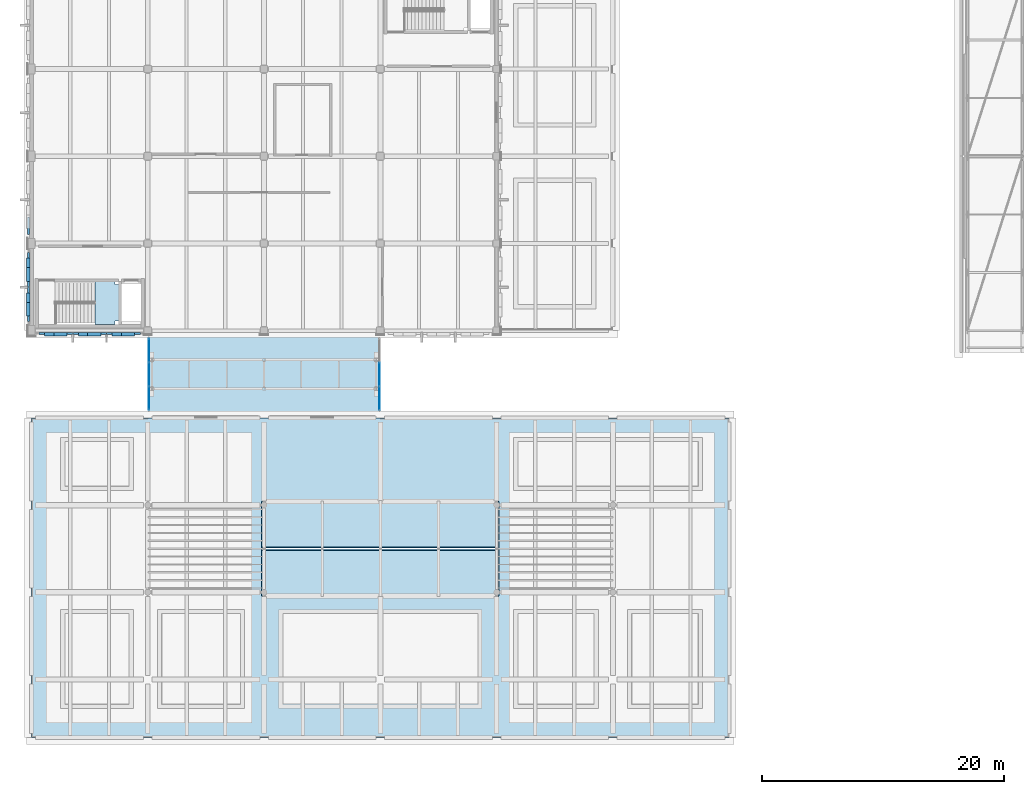
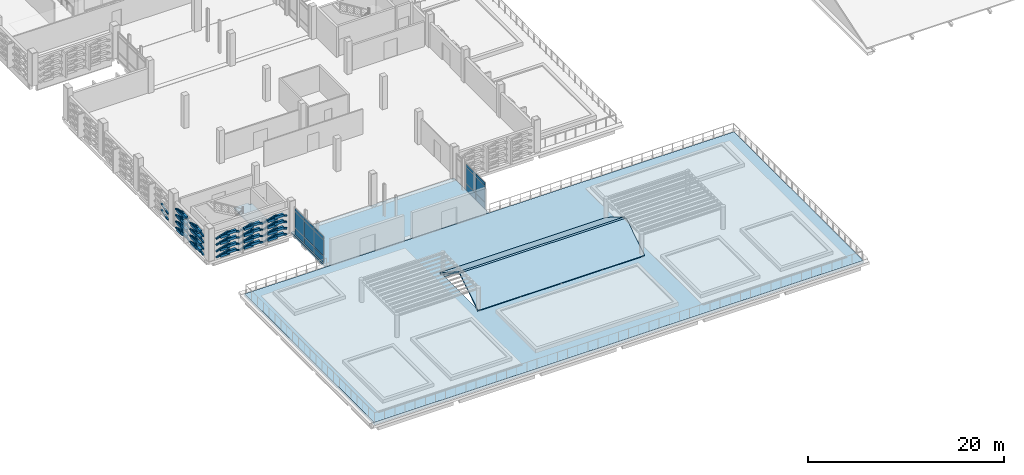
# One storey, part 89 of 134: 97 plates, 5 slabs, 3 elements without a shape of their own.
"""IFC4 building model written with IfcOpenShell, lengths in metres."""

from ifc_helpers import new_model, si_unit, direction, frame, origin, origin_2d, place, context, subcontext, project, spatial, polyline, rectangle, hollow_rectangle, outline, extrude, material, layer, layer_set, material_profile, profile_set, type_object, element, aggregate, save


model = new_model("IFC4")

# Units and contexts
model_context = context("Model", 3, precision=1e-05, world=origin(), true_north=direction((0.0, 1.0)))
body_context = subcontext(model_context, "Body", "Model", "MODEL_VIEW")
ifc_project = project(units=[si_unit("LENGTHUNIT", "METRE"), si_unit("AREAUNIT", "SQUARE_METRE"), si_unit("VOLUMEUNIT", "CUBIC_METRE"), si_unit("PLANEANGLEUNIT", "RADIAN"), si_unit("MASSUNIT", "GRAM", prefix="KILO")], contexts=[model_context])

# Site, building, storey
site_placement = place(None, origin())
site = spatial("IfcSite", under=ifc_project, at=site_placement, CompositionType="ELEMENT")
building_placement = place(site_placement, origin())
building = spatial("IfcBuilding", under=site, at=building_placement, Name="Asteropetra Specialist Clinic", CompositionType="ELEMENT")
storey_placement = place(building_placement, frame((0.0, 0.0, 8.5)))
storey = spatial("IfcBuildingStorey", under=building, at=storey_placement, Name="L02", CompositionType="ELEMENT", Elevation=8.5)

# Plates
ifc_material_1 = material(Name="Chevron emerald aluminium 6063-T6", Category="aluminium")
ifc_material_profile = material_profile(ifc_material_1, hollow_rectangle(XDim=0.179931640625, YDim=0.179931640625, WallThickness=0.010009765625, InnerFilletRadius=0.008056640625, OuterFilletRadius=0.01611328125, at=origin_2d()), Name="SHS 180x180x10.0")
ifc_profile_set = profile_set([ifc_material_profile], Name="Chevron emerald aluminium 6063-T6")
plate_type_1 = type_object("IfcPlateType", Name="CHV-RIB-180", PredefinedType="SHEET", material=ifc_profile_set)
plate_1_placement = place(storey_placement, frame((0.639892578125, 33.363037109375, 0.050048828125), z_axis=(0.952473286797, 0.0, 0.304622123191), x_axis=(0.0, 1.0, 0.0)))
element("IfcPlate", 1, at=plate_1_placement, inside=storey, type_object=plate_type_1, Name="Chevron Facade Screen Fin CVR-1702", PredefinedType="SHEET", context=body_context, shape_type="SweptSolid", body=[
    extrude(hollow_rectangle(XDim=0.179931640625, YDim=0.179931640625, WallThickness=0.010009765625, InnerFilletRadius=0.008056640625, OuterFilletRadius=0.01611328125, at=origin_2d()), origin(), (0.0, 0.0, 1.0), 1.44189453125),
])
plate_2_placement = place(storey_placement, frame((2.01318359375, 33.363037109375, 0.4892578125), z_axis=(0.952488995782, 0.0, -0.304573000962), x_axis=(0.0, 1.0, 0.0)))
element("IfcPlate", 2, at=plate_2_placement, inside=storey, type_object=plate_type_1, Name="Chevron Facade Screen Fin CVR-1703", PredefinedType="SHEET", context=body_context, shape_type="SweptSolid", body=[
    extrude(hollow_rectangle(XDim=0.179931640625, YDim=0.179931640625, WallThickness=0.010009765625, InnerFilletRadius=0.008056640625, OuterFilletRadius=0.01611328125, at=origin_2d()), origin(), (0.0, 0.0, 1.0), 1.442138671875),
])
plate_3_placement = place(storey_placement, frame((0.639892578125, 33.363037109375, 0.820068359375), z_axis=(0.952473286797, 0.0, 0.304622123191), x_axis=(0.0, 1.0, 0.0)))
element("IfcPlate", 3, at=plate_3_placement, inside=storey, type_object=plate_type_1, Name="Chevron Facade Screen Fin CVR-1704", PredefinedType="SHEET", context=body_context, shape_type="SweptSolid", body=[
    extrude(hollow_rectangle(XDim=0.179931640625, YDim=0.179931640625, WallThickness=0.010009765625, InnerFilletRadius=0.008056640625, OuterFilletRadius=0.01611328125, at=origin_2d()), origin(), (0.0, 0.0, 1.0), 1.44189453125),
])
plate_4_placement = place(storey_placement, frame((2.01318359375, 33.363037109375, 1.25927734375), z_axis=(0.952488995782, 0.0, -0.304573000962), x_axis=(0.0, 1.0, 0.0)))
element("IfcPlate", 4, at=plate_4_placement, inside=storey, type_object=plate_type_1, Name="Chevron Facade Screen Fin CVR-1705", PredefinedType="SHEET", context=body_context, shape_type="SweptSolid", body=[
    extrude(hollow_rectangle(XDim=0.179931640625, YDim=0.179931640625, WallThickness=0.010009765625, InnerFilletRadius=0.008056640625, OuterFilletRadius=0.01611328125, at=origin_2d()), origin(), (0.0, 0.0, 1.0), 1.442138671875),
])
plate_5_placement = place(storey_placement, frame((0.639892578125, 33.363037109375, 1.6201171875), z_axis=(0.952473286797, 0.0, 0.304622123191), x_axis=(0.0, 1.0, 0.0)))
element("IfcPlate", 5, at=plate_5_placement, inside=storey, type_object=plate_type_1, Name="Chevron Facade Screen Fin CVR-1706", PredefinedType="SHEET", context=body_context, shape_type="SweptSolid", body=[
    extrude(hollow_rectangle(XDim=0.179931640625, YDim=0.179931640625, WallThickness=0.010009765625, InnerFilletRadius=0.008056640625, OuterFilletRadius=0.01611328125, at=origin_2d()), origin(), (0.0, 0.0, 1.0), 1.44189453125),
])
plate_6_placement = place(storey_placement, frame((2.01318359375, 33.363037109375, 2.059326171875), z_axis=(0.952488995782, 0.0, -0.304573000962), x_axis=(0.0, 1.0, 0.0)))
element("IfcPlate", 6, at=plate_6_placement, inside=storey, type_object=plate_type_1, Name="Chevron Facade Screen Fin CVR-1707", PredefinedType="SHEET", context=body_context, shape_type="SweptSolid", body=[
    extrude(hollow_rectangle(XDim=0.179931640625, YDim=0.179931640625, WallThickness=0.010009765625, InnerFilletRadius=0.008056640625, OuterFilletRadius=0.01611328125, at=origin_2d()), origin(), (0.0, 0.0, 1.0), 1.442138671875),
])
plate_7_placement = place(storey_placement, frame((0.639892578125, 33.363037109375, 2.39990234375), z_axis=(0.952424147199, 0.0, 0.304775727104), x_axis=(0.0, 1.0, 0.0)))
element("IfcPlate", 7, at=plate_7_placement, inside=storey, type_object=plate_type_1, Name="Chevron Facade Screen Fin CVR-1708", PredefinedType="SHEET", context=body_context, shape_type="SweptSolid", body=[
    extrude(hollow_rectangle(XDim=0.179931640625, YDim=0.179931640625, WallThickness=0.010009765625, InnerFilletRadius=0.008056640625, OuterFilletRadius=0.01611328125, at=origin_2d()), origin(), (0.0, 0.0, 1.0), 1.44189453125),
])
plate_8_placement = place(storey_placement, frame((2.01318359375, 33.363037109375, 2.83935546875), z_axis=(0.952439871219, 0.0, -0.304726585175), x_axis=(0.0, 1.0, 0.0)))
element("IfcPlate", 8, at=plate_8_placement, inside=storey, type_object=plate_type_1, Name="Chevron Facade Screen Fin CVR-1709", PredefinedType="SHEET", context=body_context, shape_type="SweptSolid", body=[
    extrude(hollow_rectangle(XDim=0.179931640625, YDim=0.179931640625, WallThickness=0.010009765625, InnerFilletRadius=0.008056640625, OuterFilletRadius=0.01611328125, at=origin_2d()), origin(), (0.0, 0.0, 1.0), 1.442138671875),
])
for number, where, z_axis, x_axis, name in (
    (9, (3.4267578125, 33.363037109375, 0.050048828125), (0.952473286797, 0.0, 0.304622123191), (0.0, 1.0, 0.0), "Chevron Facade Screen Fin CVR-1710"),
    (10, (4.800048828125, 33.363037109375, 0.4892578125), (0.952473286797, 0.0, -0.304622123191), (0.0, 1.0, 0.0), "Chevron Facade Screen Fin CVR-1711"),
    (11, (3.4267578125, 33.363037109375, 0.820068359375), (0.952473286797, 0.0, 0.304622123191), (0.0, 1.0, 0.0), "Chevron Facade Screen Fin CVR-1712"),
    (12, (4.800048828125, 33.363037109375, 1.25927734375), (0.952473286797, 0.0, -0.304622123191), (0.0, 1.0, 0.0), "Chevron Facade Screen Fin CVR-1713"),
    (13, (3.4267578125, 33.363037109375, 1.6201171875), (0.952473286797, 0.0, 0.304622123191), (0.0, 1.0, 0.0), "Chevron Facade Screen Fin CVR-1714"),
    (14, (4.800048828125, 33.363037109375, 2.059326171875), (0.952473286797, 0.0, -0.304622123191), (0.0, 1.0, 0.0), "Chevron Facade Screen Fin CVR-1715"),
    (15, (3.4267578125, 33.363037109375, 2.39990234375), (0.952424147199, 0.0, 0.304775727104), (0.0, 1.0, 0.0), "Chevron Facade Screen Fin CVR-1716"),
    (16, (4.800048828125, 33.363037109375, 2.83935546875), (0.952424147199, 0.0, -0.304775727104), (0.0, 1.0, 0.0), "Chevron Facade Screen Fin CVR-1717"),
    (17, (6.21337890625, 33.363037109375, 0.050048828125), (0.952473286797, 0.0, 0.304622123191), (0.0, 1.0, 0.0), "Chevron Facade Screen Fin CVR-1718"),
    (18, (7.586669921875, 33.363037109375, 0.4892578125), (0.952473286797, 0.0, -0.304622123191), (0.0, 1.0, 0.0), "Chevron Facade Screen Fin CVR-1719"),
    (19, (6.21337890625, 33.363037109375, 0.820068359375), (0.952473286797, 0.0, 0.304622123191), (0.0, 1.0, 0.0), "Chevron Facade Screen Fin CVR-1720"),
    (20, (7.586669921875, 33.363037109375, 1.25927734375), (0.952473286797, 0.0, -0.304622123191), (0.0, 1.0, 0.0), "Chevron Facade Screen Fin CVR-1721"),
    (21, (6.21337890625, 33.363037109375, 1.6201171875), (0.952473286797, 0.0, 0.304622123191), (0.0, 1.0, 0.0), "Chevron Facade Screen Fin CVR-1722"),
    (22, (7.586669921875, 33.363037109375, 2.059326171875), (0.952473286797, 0.0, -0.304622123191), (0.0, 1.0, 0.0), "Chevron Facade Screen Fin CVR-1723"),
    (23, (6.21337890625, 33.363037109375, 2.39990234375), (0.952424147199, 0.0, 0.304775727104), (0.0, 1.0, 0.0), "Chevron Facade Screen Fin CVR-1724"),
    (24, (7.586669921875, 33.363037109375, 2.83935546875), (0.952424147199, 0.0, -0.304775727104), (0.0, 1.0, 0.0), "Chevron Facade Screen Fin CVR-1725"),
):
    element("IfcPlate", number, at=place(storey_placement, frame(where, z_axis=z_axis, x_axis=x_axis)), inside=storey, type_object=plate_type_1, Name=name, PredefinedType="SHEET", context=body_context, shape_type="SweptSolid", body=[
        extrude(hollow_rectangle(XDim=0.179931640625, YDim=0.179931640625, WallThickness=0.010009765625, InnerFilletRadius=0.008056640625, OuterFilletRadius=0.01611328125, at=origin_2d()), origin(), (0.0, 0.0, 1.0), 1.44189453125),
    ])
for number, where, z_axis, x_axis, name in (
    (25, (-0.237060546875, 40.034912109375, 0.050048828125), (0.0, -0.952510437396, 0.304505938616), (1.0, 0.0, 0.0), "Chevron Facade Screen Fin CVR-1798"),
    (26, (-0.237060546875, 38.62744140625, 0.5), (0.0, -0.952510437396, -0.304505938616), (1.0, 0.0, 0.0), "Chevron Facade Screen Fin CVR-1799"),
    (27, (-0.237060546875, 40.034912109375, 0.820068359375), (0.0, -0.952510437396, 0.304505938616), (1.0, 0.0, 0.0), "Chevron Facade Screen Fin CVR-1800"),
    (28, (-0.237060546875, 38.62744140625, 1.27001953125), (0.0, -0.952510437396, -0.304505938616), (1.0, 0.0, 0.0), "Chevron Facade Screen Fin CVR-1801"),
    (29, (-0.237060546875, 40.034912109375, 1.6201171875), (0.0, -0.952510437396, 0.304505938616), (1.0, 0.0, 0.0), "Chevron Facade Screen Fin CVR-1802"),
    (30, (-0.237060546875, 38.62744140625, 2.070068359375), (0.0, -0.952510437396, -0.304505938616), (1.0, 0.0, 0.0), "Chevron Facade Screen Fin CVR-1803"),
):
    element("IfcPlate", number, at=place(storey_placement, frame(where, z_axis=z_axis, x_axis=x_axis)), inside=storey, type_object=plate_type_1, Name=name, PredefinedType="SHEET", context=body_context, shape_type="SweptSolid", body=[
        extrude(hollow_rectangle(XDim=0.179931640625, YDim=0.179931640625, WallThickness=0.010009765625, InnerFilletRadius=0.008056640625, OuterFilletRadius=0.01611328125, at=origin_2d()), origin(), (0.0, 0.0, 1.0), 1.4775390625),
    ])
for number, where, z_axis, x_axis, name in (
    (31, (-0.237060546875, 40.034912109375, 2.39990234375), (0.0, -0.952462505902, 0.304655830162), (1.0, 0.0, 0.0), "Chevron Facade Screen Fin CVR-1804"),
    (32, (-0.237060546875, 38.62744140625, 2.85009765625), (0.0, -0.952462505902, -0.304655830162), (1.0, 0.0, 0.0), "Chevron Facade Screen Fin CVR-1805"),
):
    element("IfcPlate", number, at=place(storey_placement, frame(where, z_axis=z_axis, x_axis=x_axis)), inside=storey, type_object=plate_type_1, Name=name, PredefinedType="SHEET", context=body_context, shape_type="SweptSolid", body=[
        extrude(hollow_rectangle(XDim=0.179931640625, YDim=0.179931640625, WallThickness=0.010009765625, InnerFilletRadius=0.008056640625, OuterFilletRadius=0.01611328125, at=origin_2d()), origin(), (0.0, 0.0, 1.0), 1.477783203125),
    ])
for number, where, z_axis, x_axis, name in (
    (33, (-0.237060546875, 37.179931640625, 0.050048828125), (0.0, -0.952510437396, 0.304505938616), (1.0, 0.0, 0.0), "Chevron Facade Screen Fin CVR-1806"),
    (34, (-0.237060546875, 35.7724609375, 0.5), (0.0, -0.952510437396, -0.304505938616), (1.0, 0.0, 0.0), "Chevron Facade Screen Fin CVR-1807"),
    (35, (-0.237060546875, 37.179931640625, 0.820068359375), (0.0, -0.952510437396, 0.304505938616), (1.0, 0.0, 0.0), "Chevron Facade Screen Fin CVR-1808"),
    (36, (-0.237060546875, 35.7724609375, 1.27001953125), (0.0, -0.952510437396, -0.304505938616), (1.0, 0.0, 0.0), "Chevron Facade Screen Fin CVR-1809"),
    (37, (-0.237060546875, 37.179931640625, 1.6201171875), (0.0, -0.952510437396, 0.304505938616), (1.0, 0.0, 0.0), "Chevron Facade Screen Fin CVR-1810"),
    (38, (-0.237060546875, 35.7724609375, 2.070068359375), (0.0, -0.952510437396, -0.304505938616), (1.0, 0.0, 0.0), "Chevron Facade Screen Fin CVR-1811"),
):
    element("IfcPlate", number, at=place(storey_placement, frame(where, z_axis=z_axis, x_axis=x_axis)), inside=storey, type_object=plate_type_1, Name=name, PredefinedType="SHEET", context=body_context, shape_type="SweptSolid", body=[
        extrude(hollow_rectangle(XDim=0.179931640625, YDim=0.179931640625, WallThickness=0.010009765625, InnerFilletRadius=0.008056640625, OuterFilletRadius=0.01611328125, at=origin_2d()), origin(), (0.0, 0.0, 1.0), 1.4775390625),
    ])
for number, where, z_axis, x_axis, name in (
    (39, (-0.237060546875, 37.179931640625, 2.39990234375), (0.0, -0.952462505902, 0.304655830162), (1.0, 0.0, 0.0), "Chevron Facade Screen Fin CVR-1812"),
    (40, (-0.237060546875, 35.7724609375, 2.85009765625), (0.0, -0.952462505902, -0.304655830162), (1.0, 0.0, 0.0), "Chevron Facade Screen Fin CVR-1813"),
):
    element("IfcPlate", number, at=place(storey_placement, frame(where, z_axis=z_axis, x_axis=x_axis)), inside=storey, type_object=plate_type_1, Name=name, PredefinedType="SHEET", context=body_context, shape_type="SweptSolid", body=[
        extrude(hollow_rectangle(XDim=0.179931640625, YDim=0.179931640625, WallThickness=0.010009765625, InnerFilletRadius=0.008056640625, OuterFilletRadius=0.01611328125, at=origin_2d()), origin(), (0.0, 0.0, 1.0), 1.477783203125),
    ])
for number, where, z_axis, x_axis, name in (
    (41, (-0.237060546875, 42.972412109375, 0.5), (0.0, -0.952510437396, -0.304505938616), (1.0, 0.0, 0.0), "Chevron Facade Screen Fin CVR-1839"),
    (42, (-0.237060546875, 42.972412109375, 1.27001953125), (0.0, -0.952510437396, -0.304505938616), (1.0, 0.0, 0.0), "Chevron Facade Screen Fin CVR-1841"),
):
    element("IfcPlate", number, at=place(storey_placement, frame(where, z_axis=z_axis, x_axis=x_axis)), inside=storey, type_object=plate_type_1, Name=name, PredefinedType="SHEET", context=body_context, shape_type="SweptSolid", body=[
        extrude(hollow_rectangle(XDim=0.179931640625, YDim=0.179931640625, WallThickness=0.010009765625, InnerFilletRadius=0.008056640625, OuterFilletRadius=0.01611328125, at=origin_2d()), origin(), (0.0, 0.0, 1.0), 1.4775390625),
    ])

# Curtain wall, plates
ifc_material_2 = material(Name="Aluminium and low-E glass", Category="aluminium")
ifc_layer_1 = layer(ifc_material_2, 0.14990234375)
ifc_layer_set_1 = layer_set([ifc_layer_1], Name="Aluminium and low-E glass")
curtain_wall_type_1 = type_object("IfcCurtainWallType", Name="CW-SYS-08", PredefinedType="USERDEFINED", material=ifc_layer_set_1)
curtain_wall_1_placement = place(storey_placement, origin())
curtain_wall_1 = element("IfcCurtainWall", 43, at=curtain_wall_1_placement, inside=storey, type_object=curtain_wall_type_1, Name="Curtain Wall CW-100", ObjectType="STICK GLAZED COLONNADE", PredefinedType="USERDEFINED")
ifc_material_3 = material(Name="Low-E double glazing", Category="glass")
ifc_layer_2 = layer(ifc_material_3, 0.028076171875)
ifc_layer_set_2 = layer_set([ifc_layer_2], Name="Low-E double glazing")
plate_type_2 = type_object("IfcPlateType", Name="CWP-GLZ-28", PredefinedType="CURTAIN_PANEL", material=ifc_layer_set_2)
plate_9_placement = place(storey_placement, frame((28.719970703125, 30.0, 0.06494140625), z_axis=(0.0, 0.0, 1.0), x_axis=(0.0, -1.0, 0.0)))
plate_9 = element("IfcPlate", 44, at=plate_9_placement, type_object=plate_type_2, Name="CW-100 panel 2.1", PredefinedType="CURTAIN_PANEL", context=body_context, shape_type="SweptSolid", body=[
    extrude(rectangle(XDim=1.92822265625, YDim=0.028076171875, at=origin_2d()), origin(), (0.0, 0.0, 1.0), 0.802490234375),
])
plate_10_placement = place(storey_placement, frame((28.719970703125, 30.0, 0.9326171875), z_axis=(0.0, 0.0, 1.0), x_axis=(0.0, -1.0, 0.0)))
plate_10 = element("IfcPlate", 45, at=plate_10_placement, type_object=plate_type_2, Name="CW-100 panel 2.2", PredefinedType="CURTAIN_PANEL", context=body_context, shape_type="SweptSolid", body=[
    extrude(rectangle(XDim=1.92822265625, YDim=0.028076171875, at=origin_2d()), origin(), (0.0, 0.0, 1.0), 1.965087890625),
])
plate_11_placement = place(storey_placement, frame((28.719970703125, 30.0, 2.96240234375), z_axis=(0.0, 0.0, 1.0), x_axis=(0.0, -1.0, 0.0)))
plate_11 = element("IfcPlate", 46, at=plate_11_placement, type_object=plate_type_2, Name="CW-100 panel 2.3", PredefinedType="CURTAIN_PANEL", context=body_context, shape_type="SweptSolid", body=[
    extrude(rectangle(XDim=1.92822265625, YDim=0.028076171875, at=origin_2d()), origin(), (0.0, 0.0, 1.0), 0.402587890625),
])
plate_12_placement = place(storey_placement, frame((28.719970703125, 28.02294921875, 0.06494140625), z_axis=(0.0, 0.0, 1.0), x_axis=(0.0, -1.0, 0.0)))
plate_12 = element("IfcPlate", 47, at=plate_12_placement, type_object=plate_type_2, Name="CW-100 panel 3.1", PredefinedType="CURTAIN_PANEL", context=body_context, shape_type="SweptSolid", body=[
    extrude(rectangle(XDim=1.895751953125, YDim=0.028076171875, at=origin_2d()), origin(), (0.0, 0.0, 1.0), 0.802490234375),
])
plate_13_placement = place(storey_placement, frame((28.719970703125, 28.02294921875, 0.9326171875), z_axis=(0.0, 0.0, 1.0), x_axis=(0.0, -1.0, 0.0)))
plate_13 = element("IfcPlate", 48, at=plate_13_placement, type_object=plate_type_2, Name="CW-100 panel 3.2", PredefinedType="CURTAIN_PANEL", context=body_context, shape_type="SweptSolid", body=[
    extrude(rectangle(XDim=1.895751953125, YDim=0.028076171875, at=origin_2d()), origin(), (0.0, 0.0, 1.0), 1.965087890625),
])
plate_14_placement = place(storey_placement, frame((28.719970703125, 28.02294921875, 2.96240234375), z_axis=(0.0, 0.0, 1.0), x_axis=(0.0, -1.0, 0.0)))
plate_14 = element("IfcPlate", 49, at=plate_14_placement, type_object=plate_type_2, Name="CW-100 panel 3.3", PredefinedType="CURTAIN_PANEL", context=body_context, shape_type="SweptSolid", body=[
    extrude(rectangle(XDim=1.895751953125, YDim=0.028076171875, at=origin_2d()), origin(), (0.0, 0.0, 1.0), 0.402587890625),
])
aggregate(curtain_wall_1, [plate_9, plate_10, plate_11, plate_12, plate_13, plate_14])

ifc_material_4 = material(Name="Aluminium and low-E glass", Category="aluminium")
ifc_layer_3 = layer(ifc_material_4, 0.179931640625)
ifc_layer_set_3 = layer_set([ifc_layer_3], Name="Aluminium and low-E glass")
curtain_wall_type_2 = type_object("IfcCurtainWallType", Name="CW-SYS-07", PredefinedType="USERDEFINED", material=ifc_layer_set_3)
curtain_wall_2_placement = place(storey_placement, origin())
curtain_wall_2 = element("IfcCurtainWall", 50, at=curtain_wall_2_placement, inside=storey, type_object=curtain_wall_type_2, Name="Curtain Wall CW-099", ObjectType="STICK GLAZED COLONNADE", PredefinedType="USERDEFINED")
ifc_material_5 = material(Name="Laminated skylight glazing", Category="glass")
ifc_layer_4 = layer(ifc_material_5, 0.0400390625)
ifc_layer_set_4 = layer_set([ifc_layer_4], Name="Laminated skylight glazing")
plate_type_3 = type_object("IfcPlateType", Name="CWP-GLZ-40", PredefinedType="CURTAIN_PANEL", material=ifc_layer_set_4)
plate_15_placement = place(storey_placement, frame((9.679931640625, 28.025390625, 0.074951171875), z_axis=(0.0, 0.0, 1.0), x_axis=(0.0, 1.0, 0.0)))
plate_15 = element("IfcPlate", 51, at=plate_15_placement, type_object=plate_type_3, Name="CW-099 panel 1.1", PredefinedType="CURTAIN_PANEL", context=body_context, shape_type="SweptSolid", body=[
    extrude(rectangle(XDim=1.880859375, YDim=0.0400390625, at=origin_2d()), origin(), (0.0, 0.0, 1.0), 0.78759765625),
])
plate_16_placement = place(storey_placement, frame((9.679931640625, 28.025390625, 0.9375), z_axis=(0.0, 0.0, 1.0), x_axis=(0.0, 1.0, 0.0)))
plate_16 = element("IfcPlate", 52, at=plate_16_placement, type_object=plate_type_3, Name="CW-099 panel 1.2", PredefinedType="CURTAIN_PANEL", context=body_context, shape_type="SweptSolid", body=[
    extrude(rectangle(XDim=1.880859375, YDim=0.0400390625, at=origin_2d()), origin(), (0.0, 0.0, 1.0), 1.955078125),
])
plate_17_placement = place(storey_placement, frame((9.679931640625, 28.025390625, 2.96728515625), z_axis=(0.0, 0.0, 1.0), x_axis=(0.0, 1.0, 0.0)))
plate_17 = element("IfcPlate", 53, at=plate_17_placement, type_object=plate_type_3, Name="CW-099 panel 1.3", PredefinedType="CURTAIN_PANEL", context=body_context, shape_type="SweptSolid", body=[
    extrude(rectangle(XDim=1.880859375, YDim=0.0400390625, at=origin_2d()), origin(), (0.0, 0.0, 1.0), 0.387451171875),
])
plate_18_placement = place(storey_placement, frame((9.679931640625, 30.0, 0.074951171875), z_axis=(0.0, 0.0, 1.0), x_axis=(0.0, 1.0, 0.0)))
plate_18 = element("IfcPlate", 54, at=plate_18_placement, type_object=plate_type_3, Name="CW-099 panel 2.1", PredefinedType="CURTAIN_PANEL", context=body_context, shape_type="SweptSolid", body=[
    extrude(rectangle(XDim=1.918212890625, YDim=0.0400390625, at=origin_2d()), origin(), (0.0, 0.0, 1.0), 0.78759765625),
])
plate_19_placement = place(storey_placement, frame((9.679931640625, 30.0, 0.9375), z_axis=(0.0, 0.0, 1.0), x_axis=(0.0, 1.0, 0.0)))
plate_19 = element("IfcPlate", 55, at=plate_19_placement, type_object=plate_type_3, Name="CW-099 panel 2.2", PredefinedType="CURTAIN_PANEL", context=body_context, shape_type="SweptSolid", body=[
    extrude(rectangle(XDim=1.918212890625, YDim=0.0400390625, at=origin_2d()), origin(), (0.0, 0.0, 1.0), 1.955078125),
])
plate_20_placement = place(storey_placement, frame((9.679931640625, 30.0, 2.96728515625), z_axis=(0.0, 0.0, 1.0), x_axis=(0.0, 1.0, 0.0)))
plate_20 = element("IfcPlate", 56, at=plate_20_placement, type_object=plate_type_3, Name="CW-099 panel 2.3", PredefinedType="CURTAIN_PANEL", context=body_context, shape_type="SweptSolid", body=[
    extrude(rectangle(XDim=1.918212890625, YDim=0.0400390625, at=origin_2d()), origin(), (0.0, 0.0, 1.0), 0.387451171875),
])
plate_21_placement = place(storey_placement, frame((9.679931640625, 31.974609375, 0.074951171875), z_axis=(0.0, 0.0, 1.0), x_axis=(0.0, 1.0, 0.0)))
plate_21 = element("IfcPlate", 57, at=plate_21_placement, type_object=plate_type_3, Name="CW-099 panel 3.1", PredefinedType="CURTAIN_PANEL", context=body_context, shape_type="SweptSolid", body=[
    extrude(rectangle(XDim=1.880859375, YDim=0.0400390625, at=origin_2d()), origin(), (0.0, 0.0, 1.0), 0.78759765625),
])
plate_22_placement = place(storey_placement, frame((9.679931640625, 31.974609375, 0.9375), z_axis=(0.0, 0.0, 1.0), x_axis=(0.0, 1.0, 0.0)))
plate_22 = element("IfcPlate", 58, at=plate_22_placement, type_object=plate_type_3, Name="CW-099 panel 3.2", PredefinedType="CURTAIN_PANEL", context=body_context, shape_type="SweptSolid", body=[
    extrude(rectangle(XDim=1.880859375, YDim=0.0400390625, at=origin_2d()), origin(), (0.0, 0.0, 1.0), 1.955078125),
])
plate_23_placement = place(storey_placement, frame((9.679931640625, 31.974609375, 2.96728515625), z_axis=(0.0, 0.0, 1.0), x_axis=(0.0, 1.0, 0.0)))
plate_23 = element("IfcPlate", 59, at=plate_23_placement, type_object=plate_type_3, Name="CW-099 panel 3.3", PredefinedType="CURTAIN_PANEL", context=body_context, shape_type="SweptSolid", body=[
    extrude(rectangle(XDim=1.880859375, YDim=0.0400390625, at=origin_2d()), origin(), (0.0, 0.0, 1.0), 0.387451171875),
])
aggregate(curtain_wall_2, [plate_15, plate_16, plate_17, plate_18, plate_19, plate_20, plate_21, plate_22, plate_23])

# Plates
ifc_material_6 = material(Name="Aluminium 6063-T6", Category="aluminium")
ifc_layer_5 = layer(ifc_material_6, 0.139892578125)
ifc_layer_set_5 = layer_set([ifc_layer_5], Name="Aluminium 6063-T6")
plate_type_4 = type_object("IfcPlateType", Name="PLT-CHV-TILE", PredefinedType="SHEET", material=ifc_layer_set_5)
for number, where, z_axis, x_axis, name in (
    (60, (1.62890625, 33.31494140625, 0.03173828125), (0.0, 0.0, 1.0), (1.0, 0.0, 0.0), "Chevron Ceramic Panel CPT-1353"),
    (61, (2.39794921875, 33.31494140625, 0.19873046875), (0.0, 0.0, 1.0), (1.0, 0.0, 0.0), "Chevron Ceramic Panel CPT-1354"),
    (62, (1.62890625, 33.31494140625, 0.8017578125), (0.0, 0.0, 1.0), (1.0, 0.0, 0.0), "Chevron Ceramic Panel CPT-1355"),
    (63, (2.39794921875, 33.31494140625, 0.96875), (0.0, 0.0, 1.0), (1.0, 0.0, 0.0), "Chevron Ceramic Panel CPT-1356"),
    (64, (1.62890625, 33.31494140625, 1.6015625), (0.0, 0.0, 1.0), (1.0, 0.0, 0.0), "Chevron Ceramic Panel CPT-1357"),
    (65, (2.39794921875, 33.31494140625, 1.7685546875), (0.0, 0.0, 1.0), (1.0, 0.0, 0.0), "Chevron Ceramic Panel CPT-1358"),
    (66, (1.62890625, 33.31494140625, 2.3818359375), (0.0, 0.0, 1.0), (1.0, 0.0, 0.0), "Chevron Ceramic Panel CPT-1359"),
    (67, (2.39794921875, 33.31494140625, 2.548828125), (0.0, 0.0, 1.0), (1.0, 0.0, 0.0), "Chevron Ceramic Panel CPT-1360"),
    (68, (4.41552734375, 33.31494140625, 0.03173828125), (0.0, 0.0, 1.0), (1.0, 0.0, 0.0), "Chevron Ceramic Panel CPT-1361"),
    (69, (5.1845703125, 33.31494140625, 0.19873046875), (0.0, 0.0, 1.0), (1.0, 0.0, 0.0), "Chevron Ceramic Panel CPT-1362"),
    (70, (4.41552734375, 33.31494140625, 0.8017578125), (0.0, 0.0, 1.0), (1.0, 0.0, 0.0), "Chevron Ceramic Panel CPT-1363"),
    (71, (5.1845703125, 33.31494140625, 0.96875), (0.0, 0.0, 1.0), (1.0, 0.0, 0.0), "Chevron Ceramic Panel CPT-1364"),
    (72, (4.41552734375, 33.31494140625, 1.6015625), (0.0, 0.0, 1.0), (1.0, 0.0, 0.0), "Chevron Ceramic Panel CPT-1365"),
    (73, (5.1845703125, 33.31494140625, 1.7685546875), (0.0, 0.0, 1.0), (1.0, 0.0, 0.0), "Chevron Ceramic Panel CPT-1366"),
    (74, (4.41552734375, 33.31494140625, 2.3818359375), (0.0, 0.0, 1.0), (1.0, 0.0, 0.0), "Chevron Ceramic Panel CPT-1367"),
    (75, (5.1845703125, 33.31494140625, 2.548828125), (0.0, 0.0, 1.0), (1.0, 0.0, 0.0), "Chevron Ceramic Panel CPT-1368"),
    (76, (7.2021484375, 33.31494140625, 0.03173828125), (0.0, 0.0, 1.0), (1.0, 0.0, 0.0), "Chevron Ceramic Panel CPT-1369"),
    (77, (7.97119140625, 33.31494140625, 0.19873046875), (0.0, 0.0, 1.0), (1.0, 0.0, 0.0), "Chevron Ceramic Panel CPT-1370"),
    (78, (7.2021484375, 33.31494140625, 0.8017578125), (0.0, 0.0, 1.0), (1.0, 0.0, 0.0), "Chevron Ceramic Panel CPT-1371"),
    (79, (7.97119140625, 33.31494140625, 0.96875), (0.0, 0.0, 1.0), (1.0, 0.0, 0.0), "Chevron Ceramic Panel CPT-1372"),
    (80, (7.2021484375, 33.31494140625, 1.6015625), (0.0, 0.0, 1.0), (1.0, 0.0, 0.0), "Chevron Ceramic Panel CPT-1373"),
    (81, (7.97119140625, 33.31494140625, 1.7685546875), (0.0, 0.0, 1.0), (1.0, 0.0, 0.0), "Chevron Ceramic Panel CPT-1374"),
    (82, (7.2021484375, 33.31494140625, 2.3818359375), (0.0, 0.0, 1.0), (1.0, 0.0, 0.0), "Chevron Ceramic Panel CPT-1375"),
    (83, (7.97119140625, 33.31494140625, 2.548828125), (0.0, 0.0, 1.0), (1.0, 0.0, 0.0), "Chevron Ceramic Panel CPT-1376"),
):
    element("IfcPlate", number, at=place(storey_placement, frame(where, z_axis=z_axis, x_axis=x_axis)), inside=storey, type_object=plate_type_4, Name=name, PredefinedType="SHEET", context=body_context, shape_type="SweptSolid", body=[
        extrude(rectangle(XDim=1.09912109375, YDim=0.280029296875, at=origin_2d()), origin(), (0.0, 0.0, 1.0), 0.300048828125),
    ])
for number, where, z_axis, x_axis, name in (
    (84, (-0.284912109375, 39.021484375, 0.03515625), (0.0, 0.0, 1.0), (1.0, 0.0, 0.0), "Chevron Ceramic Panel CPT-1449"),
    (85, (-0.284912109375, 38.2333984375, 0.2060546875), (0.0, 0.0, 1.0), (1.0, 0.0, 0.0), "Chevron Ceramic Panel CPT-1450"),
    (86, (-0.284912109375, 39.021484375, 0.80517578125), (0.0, 0.0, 1.0), (1.0, 0.0, 0.0), "Chevron Ceramic Panel CPT-1451"),
    (87, (-0.284912109375, 38.2333984375, 0.97607421875), (0.0, 0.0, 1.0), (1.0, 0.0, 0.0), "Chevron Ceramic Panel CPT-1452"),
    (88, (-0.284912109375, 39.021484375, 1.60498046875), (0.0, 0.0, 1.0), (1.0, 0.0, 0.0), "Chevron Ceramic Panel CPT-1453"),
    (89, (-0.284912109375, 38.2333984375, 1.77587890625), (0.0, 0.0, 1.0), (1.0, 0.0, 0.0), "Chevron Ceramic Panel CPT-1454"),
    (90, (-0.284912109375, 39.021484375, 2.384765625), (0.0, 0.0, 1.0), (1.0, 0.0, 0.0), "Chevron Ceramic Panel CPT-1455"),
    (91, (-0.284912109375, 38.2333984375, 2.55615234375), (0.0, 0.0, 1.0), (1.0, 0.0, 0.0), "Chevron Ceramic Panel CPT-1456"),
    (92, (-0.284912109375, 36.16650390625, 0.03515625), (0.0, 0.0, 1.0), (1.0, 0.0, 0.0), "Chevron Ceramic Panel CPT-1457"),
    (93, (-0.284912109375, 35.37841796875, 0.2060546875), (0.0, 0.0, 1.0), (1.0, 0.0, 0.0), "Chevron Ceramic Panel CPT-1458"),
    (94, (-0.284912109375, 36.16650390625, 0.80517578125), (0.0, 0.0, 1.0), (1.0, 0.0, 0.0), "Chevron Ceramic Panel CPT-1459"),
    (95, (-0.284912109375, 35.37841796875, 0.97607421875), (0.0, 0.0, 1.0), (1.0, 0.0, 0.0), "Chevron Ceramic Panel CPT-1460"),
    (96, (-0.284912109375, 36.16650390625, 1.60498046875), (0.0, 0.0, 1.0), (1.0, 0.0, 0.0), "Chevron Ceramic Panel CPT-1461"),
    (97, (-0.284912109375, 35.37841796875, 1.77587890625), (0.0, 0.0, 1.0), (1.0, 0.0, 0.0), "Chevron Ceramic Panel CPT-1462"),
    (98, (-0.284912109375, 36.16650390625, 2.384765625), (0.0, 0.0, 1.0), (1.0, 0.0, 0.0), "Chevron Ceramic Panel CPT-1463"),
    (99, (-0.284912109375, 35.37841796875, 2.55615234375), (0.0, 0.0, 1.0), (1.0, 0.0, 0.0), "Chevron Ceramic Panel CPT-1464"),
):
    element("IfcPlate", number, at=place(storey_placement, frame(where, z_axis=z_axis, x_axis=x_axis)), inside=storey, type_object=plate_type_4, Name=name, PredefinedType="SHEET", context=body_context, shape_type="SweptSolid", body=[
        extrude(rectangle(XDim=0.280029296875, YDim=1.1259765625, at=origin_2d()), origin(), (0.0, 0.0, 1.0), 0.300048828125),
    ])

# Slab
ifc_material_7 = material(Name="Concrete C35/45", Category="concrete")
ifc_layer_6 = layer(ifc_material_7, 0.239990234375)
ifc_layer_set_6 = layer_set([ifc_layer_6], Name="Concrete C35/45")
slab_type_1 = type_object("IfcSlabType", Name="SLB-FLR-240", PredefinedType="FLOOR", material=ifc_layer_set_6)
slab_1_placement = place(storey_placement, frame((0.0, 0.0, -0.239990234375)))
element("IfcSlab", 100, at=slab_1_placement, inside=storey, type_object=slab_type_1, Name="Slab LP1 L02", PredefinedType="FLOOR", context=body_context, shape_type="SweptSolid", body=[
    extrude(outline(polyline([(9.60009765625, 26.43994140625), (28.800048828125, 26.43994140625), (28.800048828125, 33.56005859375), (9.60009765625, 33.56005859375), (9.60009765625, 26.43994140625)])), origin(), (0.0, 0.0, 1.0), 0.239990234375),
])

# Stair, slab
ifc_material_8 = material(Name="Concrete C35/45", Category="concrete")
stair_type = type_object("IfcStairType", Name="STR-DOG-165", PredefinedType="TWO_STRAIGHT_RUN_STAIR", material=ifc_material_8)
stair_placement = place(storey_placement, origin())
stair = element("IfcStair", 101, at=stair_placement, inside=storey, type_object=stair_type, Name="Type I Stair ST04-L02", PredefinedType="TWO_STRAIGHT_RUN_STAIR")
ifc_material_9 = material(Name="Concrete C35/45", Category="concrete")
ifc_layer_7 = layer(ifc_material_9, 0.199951171875)
ifc_layer_set_7 = layer_set([ifc_layer_7], Name="Concrete C35/45")
slab_type_2 = type_object("IfcSlabType", Name="SLB-LND-200", PredefinedType="LANDING", material=ifc_layer_set_7)
slab_2_placement = place(storey_placement, frame((0.0, 0.0, 1.840087890625)))
slab_2 = element("IfcSlab", 102, at=slab_2_placement, type_object=slab_type_2, Name="ST04-L02 landing 1", PredefinedType="LANDING", context=body_context, shape_type="SweptSolid", body=[
    extrude(outline(polyline([(5.25, 34.090087890625), (6.89990234375, 34.090087890625), (6.89990234375, 34.409912109375), (7.219970703125, 34.409912109375), (7.219970703125, 37.409912109375), (6.89990234375, 37.409912109375), (6.89990234375, 37.72998046875), (5.25, 37.72998046875), (5.25, 34.090087890625)])), origin(), (0.0, 0.0, 1.0), 0.199951171875),
])
aggregate(stair, [slab_2])

# Slabs
ifc_material_10 = material(Name="Concrete C35/45", Category="concrete")
ifc_layer_8 = layer(ifc_material_10, 0.18994140625)
ifc_layer_set_8 = layer_set([ifc_layer_8], Name="Concrete C35/45")
slab_type_3 = type_object("IfcSlabType", Name="SLB-ROOF-190", PredefinedType="ROOF", material=ifc_layer_set_8)
for number, where, z_axis, x_axis, name in (
    (103, (19.0, 11.699951171875, 0.18994140625), (0.0, -0.531634201523, 0.846974070306), (1.0, 0.0, 0.0), "Imaging Atrium Skylight Roof South"),
    (104, (19.0, 15.739990234375, 2.550048828125), (0.0, 0.531634201523, 0.846974070306), (1.0, 0.0, 0.0), "Imaging Atrium Skylight Roof North"),
):
    element("IfcSlab", number, at=place(storey_placement, frame(where, z_axis=z_axis, x_axis=x_axis)), inside=storey, type_object=slab_type_3, Name=name, PredefinedType="ROOF", context=body_context, shape_type="SweptSolid", body=[
        extrude(outline(polyline([(0.0, 0.0), (19.60009765625, 0.0), (19.60009765625, 4.43934460031938), (0.0, 4.43934460031938), (0.0, 0.0)])), origin(), (0.0, 0.0, -1.0), 0.18994140625),
    ])
ifc_material_11 = material(Name="Concrete C35/45", Category="concrete")
ifc_layer_9 = layer(ifc_material_11, 0.31005859375)
ifc_layer_set_9 = layer_set([ifc_layer_9], Name="Concrete C35/45")
slab_type_4 = type_object("IfcSlabType", Name="SLB-TER-310", PredefinedType="ROOF", material=ifc_layer_set_9)
slab_3_placement = place(storey_placement, frame((0.0, 0.0, -0.31005859375)))
element("IfcSlab", 105, at=slab_3_placement, inside=storey, type_object=slab_type_4, Name="Slab V2-TERRACE L02", PredefinedType="ROOF", context=body_context, shape_type="SweptSolid", body=[
    extrude(outline(polyline([(0.0, 0.0), (57.60009765625, 0.0), (57.60009765625, 26.39990234375), (0.0, 26.39990234375), (0.0, 0.0)]), holes=[polyline([(19.199951171875, 12.0), (38.39990234375, 12.0), (38.39990234375, 19.199951171875), (19.199951171875, 19.199951171875), (19.199951171875, 12.0)])]), origin(), (0.0, 0.0, 1.0), 0.31005859375),
])

save(model, "model.ifc")
